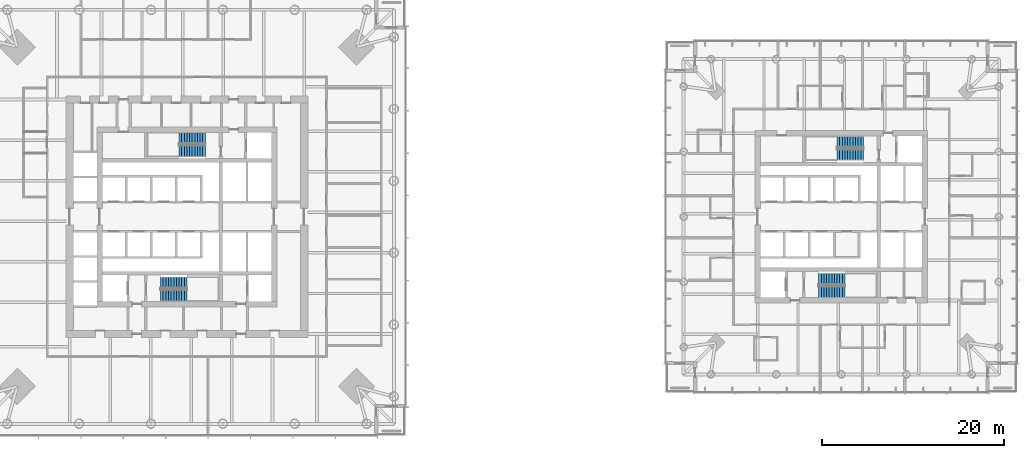
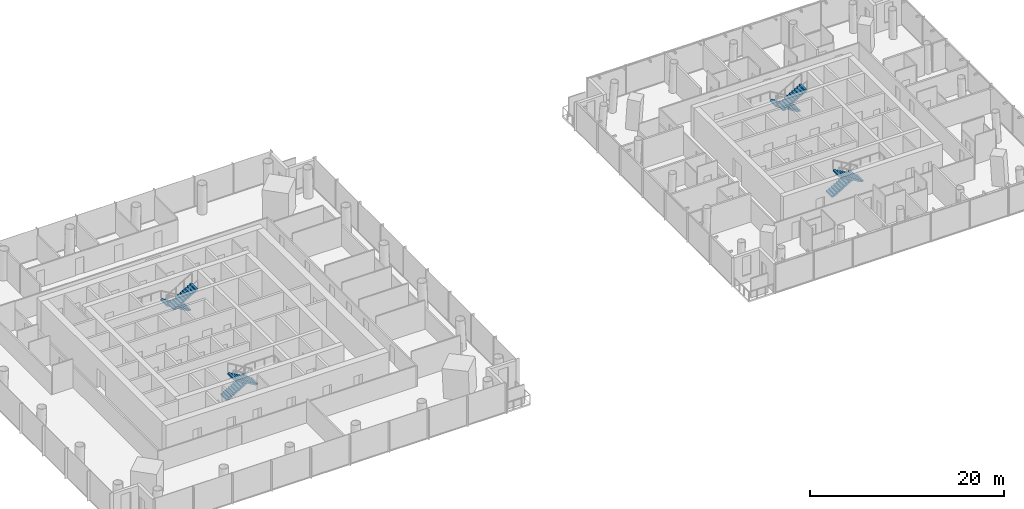
# One storey, part 18 of 21: 8 stair flights, 4 elements without a shape of their own.
"""IFC4 building model written with IfcOpenShell, lengths in metres."""

from ifc_helpers import new_model, si_unit, direction, frame, origin, place, context, subcontext, project, spatial, polyline, outline, extrude, material, type_object, element, aggregate, save


model = new_model("IFC4")

# Units and contexts
model_context = context("Model", 3, precision=1e-05, world=origin(), true_north=direction((0.0, 1.0)))
body_context = subcontext(model_context, "Body", "Model", "MODEL_VIEW")
ifc_project = project(units=[si_unit("LENGTHUNIT", "METRE"), si_unit("AREAUNIT", "SQUARE_METRE"), si_unit("VOLUMEUNIT", "CUBIC_METRE"), si_unit("PLANEANGLEUNIT", "RADIAN"), si_unit("MASSUNIT", "GRAM", prefix="KILO")], contexts=[model_context])

# Site, building, storey
site_placement = place(None, origin())
site = spatial("IfcSite", under=ifc_project, at=site_placement, CompositionType="ELEMENT")
building_placement = place(site_placement, origin())
building = spatial("IfcBuilding", under=site, at=building_placement, Name="Ostroluk Exchange", CompositionType="ELEMENT")
storey_placement = place(building_placement, frame((0.0, 0.0, 59.0)))
storey = spatial("IfcBuildingStorey", under=building, at=storey_placement, Name="L14", CompositionType="ELEMENT", Elevation=59.0)

# Stair, stair flights
ifc_material_1 = material(Name="Concrete C30/37", Category="concrete")
stair_type = type_object("IfcStairType", Name="Exit stair half turn 3800", PredefinedType="HALF_TURN_STAIR", material=ifc_material_1)
stair_1_placement = place(storey_placement, origin())
stair_1 = element("IfcStair", 1, at=stair_1_placement, inside=storey, type_object=stair_type, Name="Stair T1-S1 L14", PredefinedType="HALF_TURN_STAIR")
ifc_material_2 = material(Name="Concrete C30/37", Category="concrete")
stair_flight_type = type_object("IfcStairFlightType", Name="Stair flight 11 risers 172.7 x 290", PredefinedType="STRAIGHT", material=ifc_material_2)
stair_flight_1_placement = place(storey_placement, frame((42.10009765625, 38.77490234375, 0.0), z_axis=(0.0, 0.0, 1.0), x_axis=(1.0, 0.0, 0.0)))
stair_flight_1 = element("IfcStairFlight", 2, at=stair_flight_1_placement, type_object=stair_flight_type, Name="T1-S1 flight 1", NumberOfRisers=11, NumberOfTreads=10, PredefinedType="STRAIGHT", RiserHeight=0.172727273, TreadLength=0.29, context=body_context, shape_type="SweptSolid", body=[
    extrude(outline(polyline([(0.0, 0.0), (0.0, 0.172607421875), (0.2900390625, 0.172607421875), (0.2900390625, 0.345458984375), (0.580078125, 0.345458984375), (0.580078125, 0.51806640625), (0.8701171875, 0.51806640625), (0.8701171875, 0.69091796875), (1.159912109375, 0.69091796875), (1.159912109375, 0.863525390625), (1.449951171875, 0.863525390625), (1.449951171875, 1.036376953125), (1.739990234375, 1.036376953125), (1.739990234375, 1.208984375), (2.030029296875, 1.208984375), (2.030029296875, 1.3818359375), (2.320068359375, 1.3818359375), (2.320068359375, 1.554443359375), (2.610107421875, 1.554443359375), (2.610107421875, 1.727294921875), (2.89990234375, 1.727294921875), (2.89990234375, 1.89990234375), (2.89990234375, 1.552734375), (0.29296875, 0.0), (0.0, 0.0)])), frame((0.0, 0.625, 0.0), z_axis=(0.0, -1.0, 0.0), x_axis=(1.0, 0.0, 0.0)), (0.0, 0.0, 1.0), 1.25),
])
stair_flight_2_placement = place(storey_placement, frame((45.0, 37.324951171875, 1.89990234375), z_axis=(0.0, 0.0, 1.0), x_axis=(-1.0, 0.0, 0.0)))
stair_flight_2 = element("IfcStairFlight", 3, at=stair_flight_2_placement, type_object=stair_flight_type, Name="T1-S1 flight 2", NumberOfRisers=11, NumberOfTreads=10, PredefinedType="STRAIGHT", RiserHeight=0.172727273, TreadLength=0.29, context=body_context, shape_type="SweptSolid", body=[
    extrude(outline(polyline([(0.0, 0.0), (0.0, 0.172607421875), (0.2900390625, 0.172607421875), (0.2900390625, 0.345458984375), (0.580078125, 0.345458984375), (0.580078125, 0.51806640625), (0.8701171875, 0.51806640625), (0.8701171875, 0.69091796875), (1.159912109375, 0.69091796875), (1.159912109375, 0.863525390625), (1.449951171875, 0.863525390625), (1.449951171875, 1.036376953125), (1.739990234375, 1.036376953125), (1.739990234375, 1.208984375), (2.030029296875, 1.208984375), (2.030029296875, 1.3818359375), (2.320068359375, 1.3818359375), (2.320068359375, 1.554443359375), (2.610107421875, 1.554443359375), (2.610107421875, 1.727294921875), (2.89990234375, 1.727294921875), (2.89990234375, 1.89990234375), (2.89990234375, 1.552734375), (0.29296875, 0.0), (0.0, 0.0)])), frame((0.0, 0.625, 0.0), z_axis=(0.0, -1.0, 0.0), x_axis=(1.0, 0.0, 0.0)), (0.0, 0.0, 1.0), 1.25),
])
aggregate(stair_1, [stair_flight_1, stair_flight_2])

stair_2_placement = place(storey_placement, origin())
stair_2 = element("IfcStair", 4, at=stair_2_placement, inside=storey, type_object=stair_type, Name="Stair T1-S2 L14", PredefinedType="HALF_TURN_STAIR")
stair_flight_3_placement = place(storey_placement, frame((47.030029296875, 54.675048828125, 0.0), z_axis=(0.0, 0.0, 1.0), x_axis=(-1.0, 0.0, 0.0)))
stair_flight_3 = element("IfcStairFlight", 5, at=stair_flight_3_placement, type_object=stair_flight_type, Name="T1-S2 flight 1", NumberOfRisers=11, NumberOfTreads=10, PredefinedType="STRAIGHT", RiserHeight=0.172727273, TreadLength=0.29, context=body_context, shape_type="SweptSolid", body=[
    extrude(outline(polyline([(0.0, 0.0), (0.0, 0.172607421875), (0.2900390625, 0.172607421875), (0.2900390625, 0.345458984375), (0.580078125, 0.345458984375), (0.580078125, 0.51806640625), (0.8701171875, 0.51806640625), (0.8701171875, 0.69091796875), (1.159912109375, 0.69091796875), (1.159912109375, 0.863525390625), (1.449951171875, 0.863525390625), (1.449951171875, 1.036376953125), (1.739990234375, 1.036376953125), (1.739990234375, 1.208984375), (2.030029296875, 1.208984375), (2.030029296875, 1.3818359375), (2.320068359375, 1.3818359375), (2.320068359375, 1.554443359375), (2.610107421875, 1.554443359375), (2.610107421875, 1.727294921875), (2.89990234375, 1.727294921875), (2.89990234375, 1.89990234375), (2.89990234375, 1.552734375), (0.29296875, 0.0), (0.0, 0.0)])), frame((0.0, 0.625, 0.0), z_axis=(0.0, -1.0, 0.0), x_axis=(1.0, 0.0, 0.0)), (0.0, 0.0, 1.0), 1.25),
])
stair_flight_4_placement = place(storey_placement, frame((44.1298828125, 53.22509765625, 1.89990234375), z_axis=(0.0, 0.0, 1.0), x_axis=(1.0, 0.0, 0.0)))
stair_flight_4 = element("IfcStairFlight", 6, at=stair_flight_4_placement, type_object=stair_flight_type, Name="T1-S2 flight 2", NumberOfRisers=11, NumberOfTreads=10, PredefinedType="STRAIGHT", RiserHeight=0.172727273, TreadLength=0.29, context=body_context, shape_type="SweptSolid", body=[
    extrude(outline(polyline([(0.0, 0.0), (0.0, 0.172607421875), (0.2900390625, 0.172607421875), (0.2900390625, 0.345458984375), (0.580078125, 0.345458984375), (0.580078125, 0.51806640625), (0.8701171875, 0.51806640625), (0.8701171875, 0.69091796875), (1.159912109375, 0.69091796875), (1.159912109375, 0.863525390625), (1.449951171875, 0.863525390625), (1.449951171875, 1.036376953125), (1.739990234375, 1.036376953125), (1.739990234375, 1.208984375), (2.030029296875, 1.208984375), (2.030029296875, 1.3818359375), (2.320068359375, 1.3818359375), (2.320068359375, 1.554443359375), (2.610107421875, 1.554443359375), (2.610107421875, 1.727294921875), (2.89990234375, 1.727294921875), (2.89990234375, 1.89990234375), (2.89990234375, 1.552734375), (0.29296875, 0.0), (0.0, 0.0)])), frame((0.0, 0.625, 0.0), z_axis=(0.0, -1.0, 0.0), x_axis=(1.0, 0.0, 0.0)), (0.0, 0.0, 1.0), 1.25),
])
aggregate(stair_2, [stair_flight_3, stair_flight_4])

stair_3_placement = place(storey_placement, origin())
stair_3 = element("IfcStair", 7, at=stair_3_placement, inside=storey, type_object=stair_type, Name="Stair T2-S1 L14", PredefinedType="HALF_TURN_STAIR")
stair_flight_5_placement = place(storey_placement, frame((114.5, 39.175048828125, 0.0), z_axis=(0.0, 0.0, 1.0), x_axis=(1.0, 0.0, 0.0)))
stair_flight_5 = element("IfcStairFlight", 8, at=stair_flight_5_placement, type_object=stair_flight_type, Name="T2-S1 flight 1", NumberOfRisers=11, NumberOfTreads=10, PredefinedType="STRAIGHT", RiserHeight=0.172727273, TreadLength=0.29, context=body_context, shape_type="SweptSolid", body=[
    extrude(outline(polyline([(0.0, 0.0), (0.0, 0.172607421875), (0.2900390625, 0.172607421875), (0.2900390625, 0.345458984375), (0.580078125, 0.345458984375), (0.580078125, 0.51806640625), (0.8701171875, 0.51806640625), (0.8701171875, 0.69091796875), (1.159912109375, 0.69091796875), (1.159912109375, 0.863525390625), (1.449951171875, 0.863525390625), (1.449951171875, 1.036376953125), (1.739990234375, 1.036376953125), (1.739990234375, 1.208984375), (2.030029296875, 1.208984375), (2.030029296875, 1.3818359375), (2.320068359375, 1.3818359375), (2.320068359375, 1.554443359375), (2.610107421875, 1.554443359375), (2.610107421875, 1.727294921875), (2.89990234375, 1.727294921875), (2.89990234375, 1.89990234375), (2.89990234375, 1.552734375), (0.29296875, 0.0), (0.0, 0.0)])), frame((0.0, 0.625, 0.0), z_axis=(0.0, -1.0, 0.0), x_axis=(1.0, 0.0, 0.0)), (0.0, 0.0, 1.0), 1.25),
])
stair_flight_6_placement = place(storey_placement, frame((117.39990234375, 37.72509765625, 1.89990234375), z_axis=(0.0, 0.0, 1.0), x_axis=(-1.0, 0.0, 0.0)))
stair_flight_6 = element("IfcStairFlight", 9, at=stair_flight_6_placement, type_object=stair_flight_type, Name="T2-S1 flight 2", NumberOfRisers=11, NumberOfTreads=10, PredefinedType="STRAIGHT", RiserHeight=0.172727273, TreadLength=0.29, context=body_context, shape_type="SweptSolid", body=[
    extrude(outline(polyline([(0.0, 0.0), (0.0, 0.172607421875), (0.2900390625, 0.172607421875), (0.2900390625, 0.345458984375), (0.580078125, 0.345458984375), (0.580078125, 0.51806640625), (0.8701171875, 0.51806640625), (0.8701171875, 0.69091796875), (1.159912109375, 0.69091796875), (1.159912109375, 0.863525390625), (1.449951171875, 0.863525390625), (1.449951171875, 1.036376953125), (1.739990234375, 1.036376953125), (1.739990234375, 1.208984375), (2.030029296875, 1.208984375), (2.030029296875, 1.3818359375), (2.320068359375, 1.3818359375), (2.320068359375, 1.554443359375), (2.610107421875, 1.554443359375), (2.610107421875, 1.727294921875), (2.89990234375, 1.727294921875), (2.89990234375, 1.89990234375), (2.89990234375, 1.552734375), (0.29296875, 0.0), (0.0, 0.0)])), frame((0.0, 0.625, 0.0), z_axis=(0.0, -1.0, 0.0), x_axis=(1.0, 0.0, 0.0)), (0.0, 0.0, 1.0), 1.25),
])
aggregate(stair_3, [stair_flight_5, stair_flight_6])

stair_4_placement = place(storey_placement, origin())
stair_4 = element("IfcStair", 10, at=stair_4_placement, inside=storey, type_object=stair_type, Name="Stair T2-S2 L14", PredefinedType="HALF_TURN_STAIR")
stair_flight_7_placement = place(storey_placement, frame((119.429931640625, 54.27490234375, 0.0), z_axis=(0.0, 0.0, 1.0), x_axis=(-1.0, 0.0, 0.0)))
stair_flight_7 = element("IfcStairFlight", 11, at=stair_flight_7_placement, type_object=stair_flight_type, Name="T2-S2 flight 1", NumberOfRisers=11, NumberOfTreads=10, PredefinedType="STRAIGHT", RiserHeight=0.172727273, TreadLength=0.29, context=body_context, shape_type="SweptSolid", body=[
    extrude(outline(polyline([(0.0, 0.0), (0.0, 0.172607421875), (0.2900390625, 0.172607421875), (0.2900390625, 0.345458984375), (0.580078125, 0.345458984375), (0.580078125, 0.51806640625), (0.8701171875, 0.51806640625), (0.8701171875, 0.69091796875), (1.159912109375, 0.69091796875), (1.159912109375, 0.863525390625), (1.449951171875, 0.863525390625), (1.449951171875, 1.036376953125), (1.739990234375, 1.036376953125), (1.739990234375, 1.208984375), (2.030029296875, 1.208984375), (2.030029296875, 1.3818359375), (2.320068359375, 1.3818359375), (2.320068359375, 1.554443359375), (2.610107421875, 1.554443359375), (2.610107421875, 1.727294921875), (2.89990234375, 1.727294921875), (2.89990234375, 1.89990234375), (2.89990234375, 1.552734375), (0.29296875, 0.0), (0.0, 0.0)])), frame((0.0, 0.625, 0.0), z_axis=(0.0, -1.0, 0.0), x_axis=(1.0, 0.0, 0.0)), (0.0, 0.0, 1.0), 1.25),
])
stair_flight_8_placement = place(storey_placement, frame((116.530029296875, 52.824951171875, 1.89990234375), z_axis=(0.0, 0.0, 1.0), x_axis=(1.0, 0.0, 0.0)))
stair_flight_8 = element("IfcStairFlight", 12, at=stair_flight_8_placement, type_object=stair_flight_type, Name="T2-S2 flight 2", NumberOfRisers=11, NumberOfTreads=10, PredefinedType="STRAIGHT", RiserHeight=0.172727273, TreadLength=0.29, context=body_context, shape_type="SweptSolid", body=[
    extrude(outline(polyline([(0.0, 0.0), (0.0, 0.172607421875), (0.2900390625, 0.172607421875), (0.2900390625, 0.345458984375), (0.580078125, 0.345458984375), (0.580078125, 0.51806640625), (0.8701171875, 0.51806640625), (0.8701171875, 0.69091796875), (1.159912109375, 0.69091796875), (1.159912109375, 0.863525390625), (1.449951171875, 0.863525390625), (1.449951171875, 1.036376953125), (1.739990234375, 1.036376953125), (1.739990234375, 1.208984375), (2.030029296875, 1.208984375), (2.030029296875, 1.3818359375), (2.320068359375, 1.3818359375), (2.320068359375, 1.554443359375), (2.610107421875, 1.554443359375), (2.610107421875, 1.727294921875), (2.89990234375, 1.727294921875), (2.89990234375, 1.89990234375), (2.89990234375, 1.552734375), (0.29296875, 0.0), (0.0, 0.0)])), frame((0.0, 0.625, 0.0), z_axis=(0.0, -1.0, 0.0), x_axis=(1.0, 0.0, 0.0)), (0.0, 0.0, 1.0), 1.25),
])
aggregate(stair_4, [stair_flight_7, stair_flight_8])

save(model, "model.ifc")
